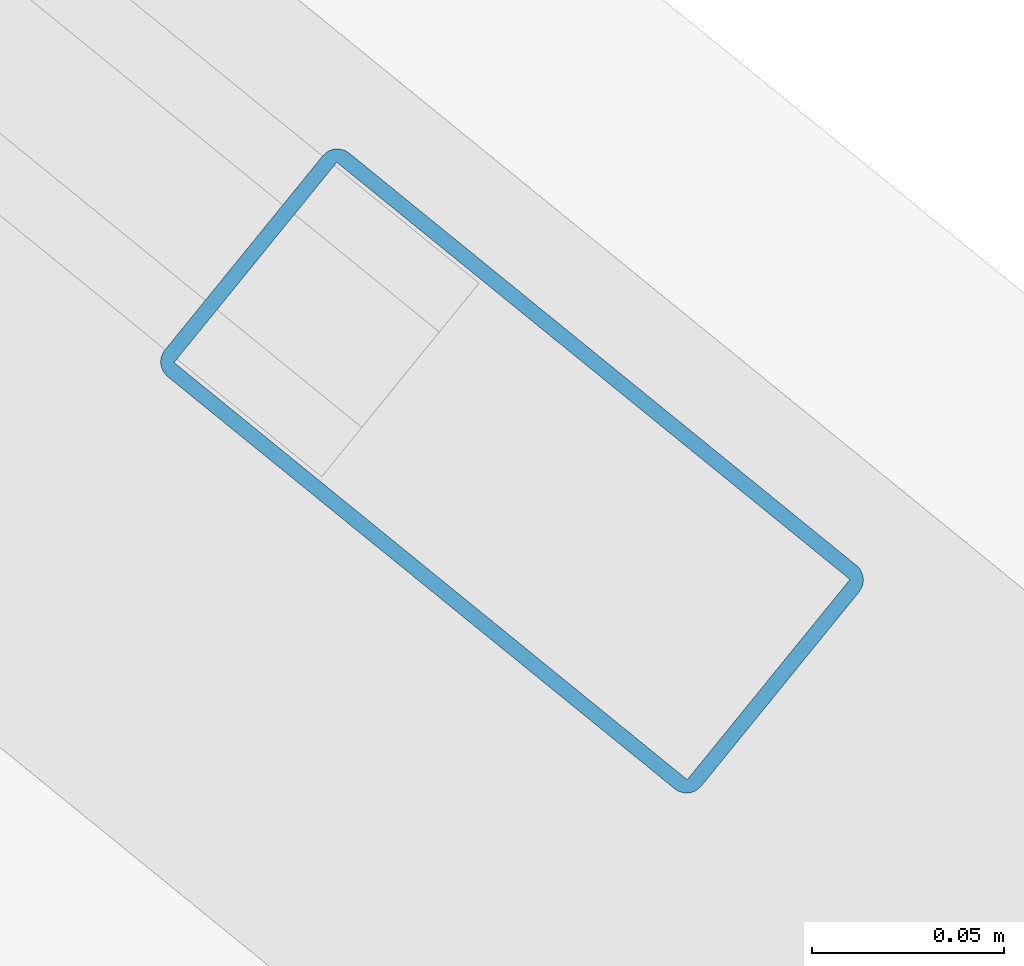
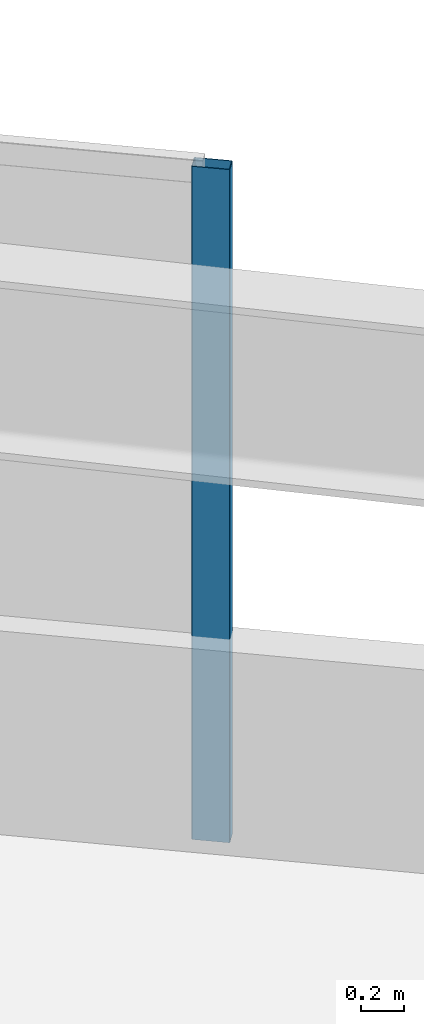
# One storey, part 6 of 18: 1 member, 1 element without a shape of its own.
"""IFC4 building model written with IfcOpenShell, lengths in metres."""

from ifc_helpers import new_model, si_unit, direction, frame, origin, origin_2d, place, context, subcontext, project, spatial, hollow_rectangle, extrude, material, material_profile, profile_set, type_object, element, aggregate, save


model = new_model("IFC4")

# Units and contexts
model_context = context("Model", 3, precision=1e-05, world=origin(), true_north=direction((0.0, 1.0)))
body_context = subcontext(model_context, "Body", "Model", "MODEL_VIEW")
ifc_project = project(units=[si_unit("LENGTHUNIT", "METRE"), si_unit("AREAUNIT", "SQUARE_METRE"), si_unit("VOLUMEUNIT", "CUBIC_METRE"), si_unit("PLANEANGLEUNIT", "RADIAN"), si_unit("MASSUNIT", "GRAM", prefix="KILO")], contexts=[model_context])

# Site, building, storey
site_placement = place(None, origin())
site = spatial("IfcSite", under=ifc_project, at=site_placement, CompositionType="ELEMENT")
building_placement = place(site_placement, origin())
building = spatial("IfcBuilding", under=site, at=building_placement, Name="Narakoshi Arena Tower", CompositionType="ELEMENT")
storey_placement = place(building_placement, frame((0.0, 0.0, 59.10009765625)))
storey = spatial("IfcBuildingStorey", under=building, at=storey_placement, Name="L15", CompositionType="ELEMENT", Elevation=59.10009765625)

# Curtain wall, member
ifc_material = material(Name="Anodised bronze aluminium 6063-T6", Category="aluminium")
curtain_wall_type = type_object("IfcCurtainWallType", Name="CW-HYP-LOW", PredefinedType="NOTDEFINED", material=ifc_material)
curtain_wall_placement = place(storey_placement, origin())
curtain_wall = element("IfcCurtainWall", 1, at=curtain_wall_placement, inside=storey, type_object=curtain_wall_type, Name="L15 Folded Hypotenuse Curtain Wall 2-1", PredefinedType="NOTDEFINED")
ifc_material_profile = material_profile(ifc_material, hollow_rectangle(XDim=0.074951171875, YDim=0.179931640625, WallThickness=0.00390625, OuterFilletRadius=0.0048828125, at=origin_2d()), Name="MUL180x75x4")
ifc_profile_set = profile_set([ifc_material_profile], Name="Anodised bronze aluminium 6063-T6")
member_type = type_object("IfcMemberType", Name="MEM-MUL-180", PredefinedType="MULLION", material=ifc_profile_set)
member_placement = place(storey_placement, frame((93.34521484375, 59.196533203125, 0.0), z_axis=(0.0, 0.0, 1.0), x_axis=(-0.630732461203, -0.776000362361, 0.0)))
member = element("IfcMember", 2, at=member_placement, type_object=member_type, Name="CW-01 mullion 1", PredefinedType="MULLION", context=body_context, shape_type="SweptSolid", body=[
    extrude(hollow_rectangle(XDim=0.074951171875, YDim=0.179931640625, WallThickness=0.00390625, OuterFilletRadius=0.0048828125, at=origin_2d()), origin(), (0.0, 0.0, 1.0), 3.7998046875),
])
aggregate(curtain_wall, [member])

save(model, "model.ifc")
